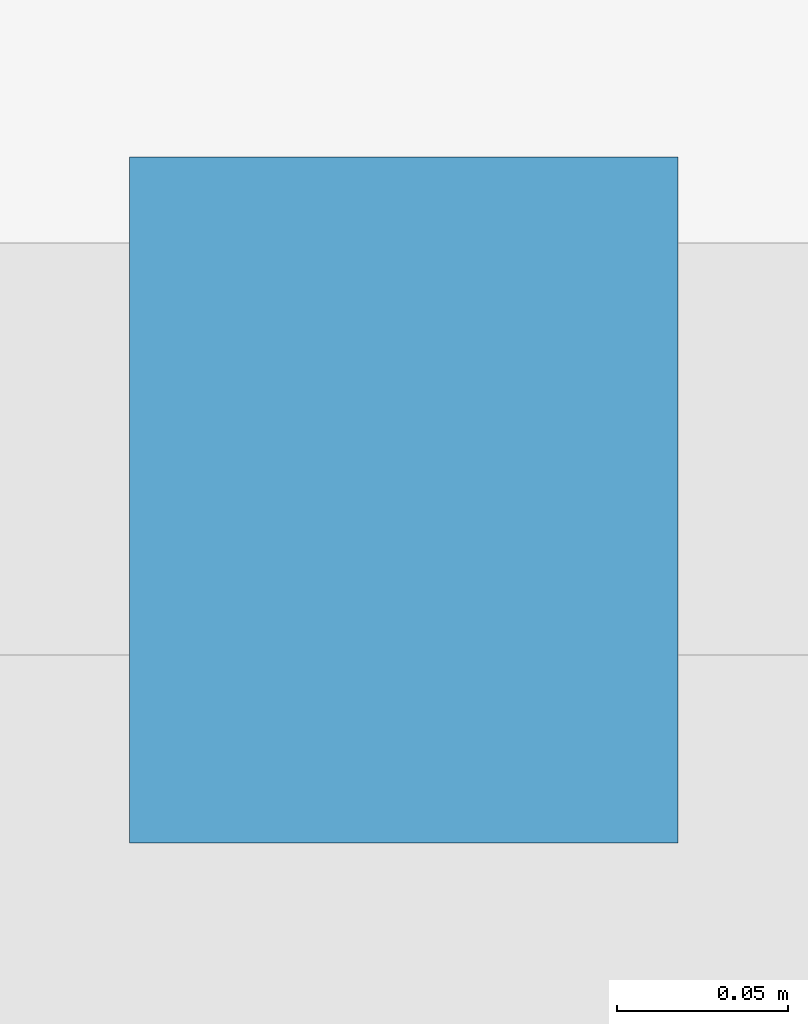
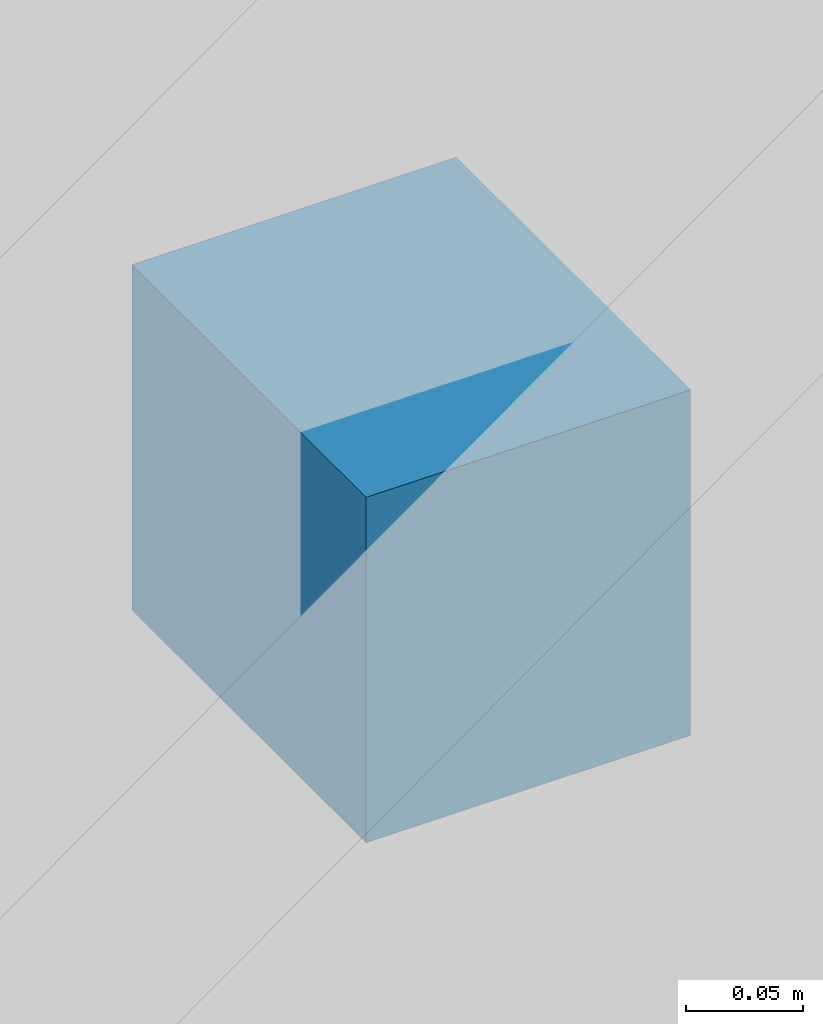
# One storey, part 9 of 12: 1 discrete accessory.
"""IFC4 building model written with IfcOpenShell, lengths in metres."""

from ifc_helpers import new_model, si_unit, direction, frame, origin, origin_2d, place, context, subcontext, project, spatial, rectangle, extrude, material, type_object, element, save


model = new_model("IFC4")

# Units and contexts
model_context = context("Model", 3, precision=1e-05, world=origin(), true_north=direction((0.0, 1.0)))
body_context = subcontext(model_context, "Body", "Model", "MODEL_VIEW")
ifc_project = project(units=[si_unit("LENGTHUNIT", "METRE"), si_unit("AREAUNIT", "SQUARE_METRE"), si_unit("VOLUMEUNIT", "CUBIC_METRE"), si_unit("PLANEANGLEUNIT", "RADIAN"), si_unit("MASSUNIT", "GRAM", prefix="KILO")], contexts=[model_context])

# Site, building, storey
site_placement = place(None, origin())
site = spatial("IfcSite", under=ifc_project, at=site_placement, CompositionType="ELEMENT")
building_placement = place(site_placement, origin())
building = spatial("IfcBuilding", under=site, at=building_placement, Name="Koriwani Terraces Tower", CompositionType="ELEMENT")
storey_placement = place(building_placement, frame((0.0, 0.0, 328.10009765625)))
storey = spatial("IfcBuildingStorey", under=building, at=storey_placement, Name="L81", CompositionType="ELEMENT", Elevation=328.10009765625)

# Discrete accessory
ifc_material = material(Name="Steel ASTM A572 Grade 50", Category="steel")
discrete_accessory_type = type_object("IfcDiscreteAccessoryType", Name="BAGUETTE_STANDOFF_BRACKET", PredefinedType="BRACKET", material=ifc_material)
discrete_accessory_placement = place(storey_placement, frame((46.199951171875, 8.7900390625, 1.7451171875), z_axis=(0.0, 0.0, 1.0), x_axis=(-1.0, 0.0, 0.0)))
element("IfcDiscreteAccessory", 1, at=discrete_accessory_placement, inside=storey, type_object=discrete_accessory_type, Name="L81 Terracotta Baguette Bracket (S-12)", PredefinedType="BRACKET", context=body_context, shape_type="SweptSolid", body=[
    extrude(rectangle(XDim=0.159912109375, YDim=0.199951171875, at=origin_2d()), origin(), (0.0, 0.0, 1.0), 0.179931640625),
])

save(model, "model.ifc")
